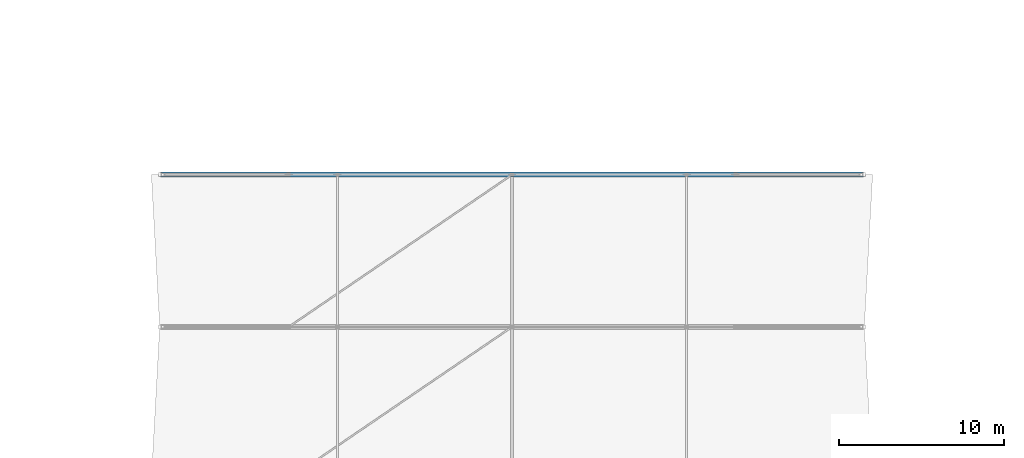
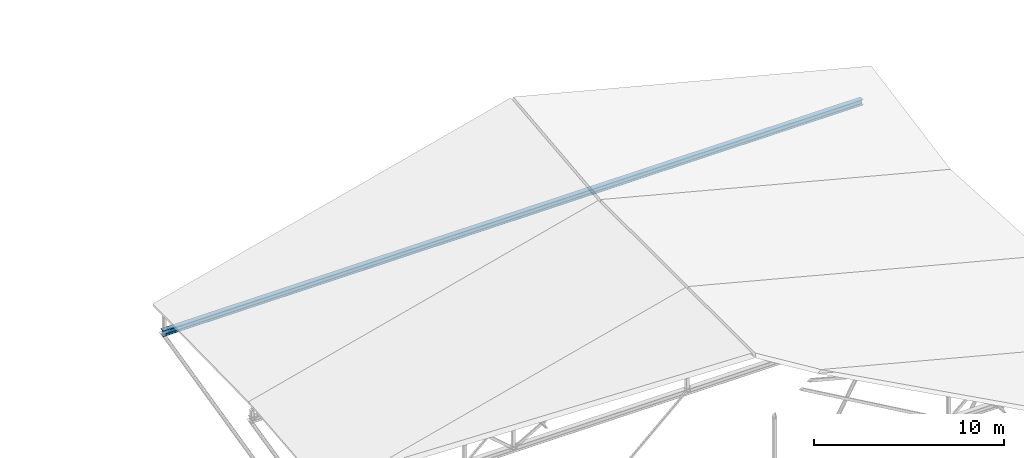
# One storey, part 21 of 56: 1 beam.
"""IFC4 building model written with IfcOpenShell, lengths in metres."""

from ifc_helpers import new_model, si_unit, direction, frame, origin, origin_2d, place, context, subcontext, project, spatial, i_section, extrude, material, material_profile, profile_set, type_object, element, save


model = new_model("IFC4")

# Units and contexts
model_context = context("Model", 3, precision=1e-05, world=origin(), true_north=direction((0.0, 1.0)))
body_context = subcontext(model_context, "Body", "Model", "MODEL_VIEW")
ifc_project = project(units=[si_unit("LENGTHUNIT", "METRE"), si_unit("AREAUNIT", "SQUARE_METRE"), si_unit("VOLUMEUNIT", "CUBIC_METRE"), si_unit("PLANEANGLEUNIT", "RADIAN"), si_unit("MASSUNIT", "GRAM", prefix="KILO")], contexts=[model_context])

# Site, building, storey
site_placement = place(None, origin())
site = spatial("IfcSite", under=ifc_project, at=site_placement, CompositionType="ELEMENT")
building_placement = place(site_placement, origin())
building = spatial("IfcBuilding", under=site, at=building_placement, Name="Bozkorgan Art Gallery", CompositionType="ELEMENT")
storey_placement = place(building_placement, frame((0.0, 0.0, 24.0)))
storey = spatial("IfcBuildingStorey", under=building, at=storey_placement, Name="L05", CompositionType="ELEMENT", Elevation=24.0)

# Beam
ifc_material = material(Name="Steel S355J2", Category="steel")
ifc_material_profile = material_profile(ifc_material, i_section(OverallWidth=0.300048828125, OverallDepth=0.360107421875, WebThickness=0.012451171875, FlangeThickness=0.0224609375, FilletRadius=0.027099609375, at=origin_2d()), Name="HEB 360")
ifc_profile_set = profile_set([ifc_material_profile], Name="Steel S355J2")
beam_type = type_object("IfcBeamType", Name="BEAM-TO-26", PredefinedType="BEAM", material=ifc_profile_set)
beam_placement = place(storey_placement, frame((66.260009765625, 84.39990234375, 0.179931640625), z_axis=(1.0, 0.0, 0.0), x_axis=(0.0, 1.0, 0.0)))
element("IfcBeam", 1, at=beam_placement, inside=storey, type_object=beam_type, Name="ROOF-V4-MAIN roof truss 5 bottom chord", PredefinedType="BEAM", context=body_context, shape_type="SweptSolid", body=[
    extrude(i_section(OverallWidth=0.300048828125, OverallDepth=0.360107421875, WebThickness=0.012451171875, FlangeThickness=0.0224609375, FilletRadius=0.027099609375, at=origin_2d()), origin(), (0.0, 0.0, 1.0), 42.47998046875),
])

save(model, "model.ifc")
